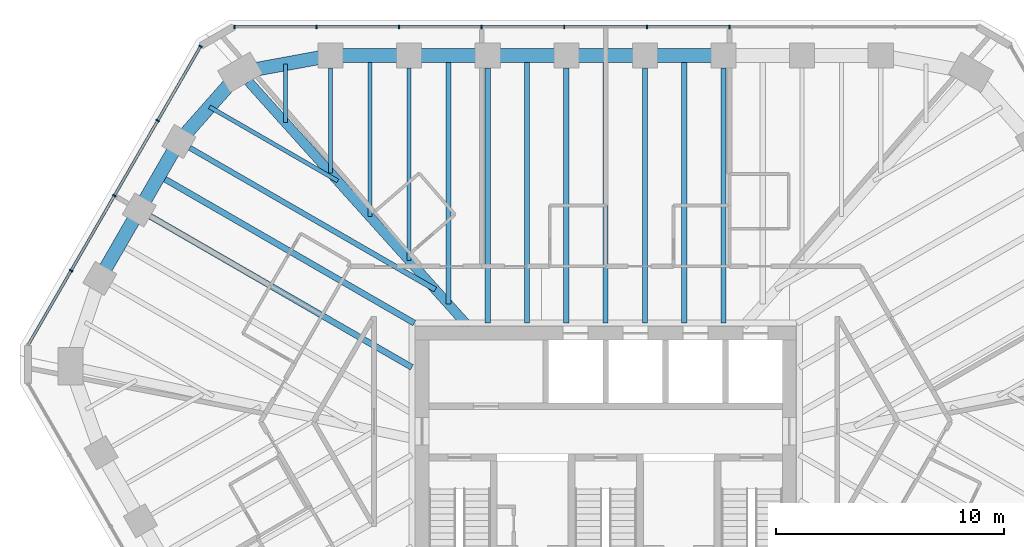
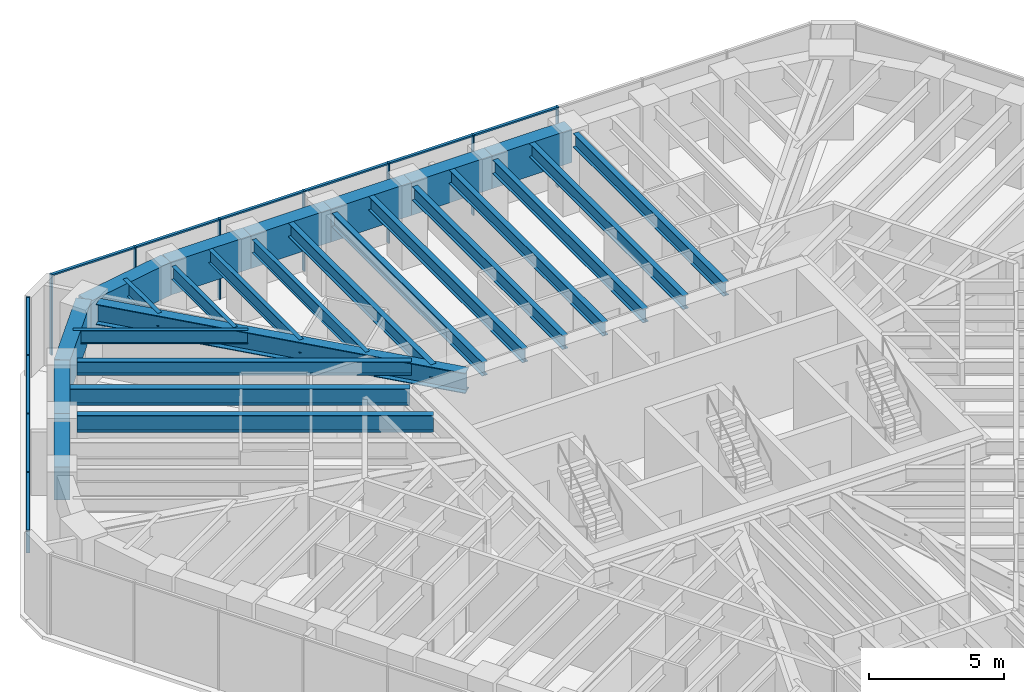
# One storey, part 6 of 14: 26 beams, 21 members, 2 elements without a shape of their own.
"""IFC4 building model written with IfcOpenShell, lengths in metres."""

from ifc_helpers import new_model, si_unit, direction, frame, origin, origin_2d, place, context, subcontext, project, spatial, rectangle, i_section, extrude, material, material_profile, profile_set, type_object, element, aggregate, save


model = new_model("IFC4")

# Units and contexts
model_context = context("Model", 3, precision=1e-05, world=origin(), true_north=direction((0.0, 1.0)))
body_context = subcontext(model_context, "Body", "Model", "MODEL_VIEW")
ifc_project = project(units=[si_unit("LENGTHUNIT", "METRE"), si_unit("AREAUNIT", "SQUARE_METRE"), si_unit("VOLUMEUNIT", "CUBIC_METRE"), si_unit("PLANEANGLEUNIT", "RADIAN"), si_unit("MASSUNIT", "GRAM", prefix="KILO")], contexts=[model_context])

# Site, building, storey
site_placement = place(None, origin())
site = spatial("IfcSite", under=ifc_project, at=site_placement, CompositionType="ELEMENT")
building_placement = place(site_placement, origin())
building = spatial("IfcBuilding", under=site, at=building_placement, Name="Sandreach Pilgrim Tower", CompositionType="ELEMENT")
storey_placement = place(building_placement, frame((0.0, 0.0, 291.199951171875)))
storey = spatial("IfcBuildingStorey", under=building, at=storey_placement, Name="L73", CompositionType="ELEMENT", Elevation=291.199951171875)

# Curtain wall, members
ifc_material_1 = material(Name="Aluminium framed curtain wall", Category="aluminium")
curtain_wall_type = type_object("IfcCurtainWallType", Name="Suite tower curtain wall", PredefinedType="NOTDEFINED", material=ifc_material_1)
curtain_wall_1_placement = place(storey_placement, origin())
curtain_wall_1 = element("IfcCurtainWall", 1, at=curtain_wall_1_placement, inside=storey, type_object=curtain_wall_type, Name="CW-4 L73 N", PredefinedType="NOTDEFINED")
ifc_material_2 = material(Name="Aluminium extrusion", Category="aluminium")
ifc_material_profile_1 = material_profile(ifc_material_2, rectangle(XDim=0.06005859375, YDim=0.159912109375, at=origin_2d()), Name="CW-4M 60X160")
ifc_profile_set_1 = profile_set([ifc_material_profile_1], Name="Aluminium extrusion")
member_type_1 = type_object("IfcMemberType", Name="CW-4 mullion", PredefinedType="MULLION", material=ifc_profile_set_1)
member_1_placement = place(storey_placement, frame((-16.268310546875, 19.826416015625, 0.0), z_axis=(0.0, 0.0, 1.0), x_axis=(1.0, 0.0, 0.0)))
member_1 = element("IfcMember", 2, at=member_1_placement, type_object=member_type_1, Name="CW-4 mullion 1", PredefinedType="MULLION", context=body_context, shape_type="SweptSolid", body=[
    extrude(rectangle(XDim=0.06005859375, YDim=0.159912109375, at=origin_2d()), origin(), (0.0, 0.0, 1.0), 3.64013671875),
])
member_2_placement = place(storey_placement, frame((-12.676513671875, 19.826416015625, 0.0), z_axis=(0.0, 0.0, 1.0), x_axis=(1.0, 0.0, 0.0)))
member_2 = element("IfcMember", 3, at=member_2_placement, type_object=member_type_1, Name="CW-4 mullion 2", PredefinedType="MULLION", context=body_context, shape_type="SweptSolid", body=[
    extrude(rectangle(XDim=0.06005859375, YDim=0.159912109375, at=origin_2d()), origin(), (0.0, 0.0, 1.0), 3.64013671875),
])
member_3_placement = place(storey_placement, frame((-9.0546875, 19.826416015625, 0.0), z_axis=(0.0, 0.0, 1.0), x_axis=(1.0, 0.0, 0.0)))
member_3 = element("IfcMember", 4, at=member_3_placement, type_object=member_type_1, Name="CW-4 mullion 3", PredefinedType="MULLION", context=body_context, shape_type="SweptSolid", body=[
    extrude(rectangle(XDim=0.06005859375, YDim=0.159912109375, at=origin_2d()), origin(), (0.0, 0.0, 1.0), 3.64013671875),
])
member_4_placement = place(storey_placement, frame((-5.432861328125, 19.826416015625, 0.0), z_axis=(0.0, 0.0, 1.0), x_axis=(1.0, 0.0, 0.0)))
member_4 = element("IfcMember", 5, at=member_4_placement, type_object=member_type_1, Name="CW-4 mullion 4", PredefinedType="MULLION", context=body_context, shape_type="SweptSolid", body=[
    extrude(rectangle(XDim=0.06005859375, YDim=0.159912109375, at=origin_2d()), origin(), (0.0, 0.0, 1.0), 3.64013671875),
])
member_5_placement = place(storey_placement, frame((-1.81103515625, 19.826416015625, 0.0), z_axis=(0.0, 0.0, 1.0), x_axis=(1.0, 0.0, 0.0)))
member_5 = element("IfcMember", 6, at=member_5_placement, type_object=member_type_1, Name="CW-4 mullion 5", PredefinedType="MULLION", context=body_context, shape_type="SweptSolid", body=[
    extrude(rectangle(XDim=0.06005859375, YDim=0.159912109375, at=origin_2d()), origin(), (0.0, 0.0, 1.0), 3.64013671875),
])
member_6_placement = place(storey_placement, frame((1.81103515625, 19.826416015625, 0.0), z_axis=(0.0, 0.0, 1.0), x_axis=(1.0, 0.0, 0.0)))
member_6 = element("IfcMember", 7, at=member_6_placement, type_object=member_type_1, Name="CW-4 mullion 6", PredefinedType="MULLION", context=body_context, shape_type="SweptSolid", body=[
    extrude(rectangle(XDim=0.06005859375, YDim=0.159912109375, at=origin_2d()), origin(), (0.0, 0.0, 1.0), 3.64013671875),
])
member_7_placement = place(storey_placement, frame((5.432861328125, 19.826416015625, 0.0), z_axis=(0.0, 0.0, 1.0), x_axis=(1.0, 0.0, 0.0)))
member_7 = element("IfcMember", 8, at=member_7_placement, type_object=member_type_1, Name="CW-4 mullion 7", PredefinedType="MULLION", context=body_context, shape_type="SweptSolid", body=[
    extrude(rectangle(XDim=0.06005859375, YDim=0.159912109375, at=origin_2d()), origin(), (0.0, 0.0, 1.0), 3.64013671875),
])

curtain_wall_2_placement = place(storey_placement, origin())
curtain_wall_2 = element("IfcCurtainWall", 9, at=curtain_wall_2_placement, inside=storey, type_object=curtain_wall_type, Name="CW-4 L73 NW", PredefinedType="NOTDEFINED")
member_8_placement = place(storey_placement, frame((-23.423583984375, 9.145263671875, 0.0), z_axis=(0.0, 0.0, 1.0), x_axis=(0.5, 0.866025403784, 0.0)))
member_8 = element("IfcMember", 10, at=member_8_placement, type_object=member_type_1, Name="CW-4 mullion 2", PredefinedType="MULLION", context=body_context, shape_type="SweptSolid", body=[
    extrude(rectangle(XDim=0.06005859375, YDim=0.159912109375, at=origin_2d()), origin(), (0.0, 0.0, 1.0), 3.64013671875),
])
member_9_placement = place(storey_placement, frame((-21.527587890625, 12.428955078125, 0.0), z_axis=(0.0, 0.0, 1.0), x_axis=(0.5, 0.866025403784, 0.0)))
member_9 = element("IfcMember", 11, at=member_9_placement, type_object=member_type_1, Name="CW-4 mullion 3", PredefinedType="MULLION", context=body_context, shape_type="SweptSolid", body=[
    extrude(rectangle(XDim=0.06005859375, YDim=0.159912109375, at=origin_2d()), origin(), (0.0, 0.0, 1.0), 3.64013671875),
])
member_10_placement = place(storey_placement, frame((-19.6318359375, 15.712646484375, 0.0), z_axis=(0.0, 0.0, 1.0), x_axis=(0.5, 0.866025403784, 0.0)))
member_10 = element("IfcMember", 12, at=member_10_placement, type_object=member_type_1, Name="CW-4 mullion 4", PredefinedType="MULLION", context=body_context, shape_type="SweptSolid", body=[
    extrude(rectangle(XDim=0.06005859375, YDim=0.159912109375, at=origin_2d()), origin(), (0.0, 0.0, 1.0), 3.64013671875),
])
member_11_placement = place(storey_placement, frame((-17.7509765625, 18.970458984375, 0.0), z_axis=(0.0, 0.0, 1.0), x_axis=(0.5, 0.866025403784, 0.0)))
member_11 = element("IfcMember", 13, at=member_11_placement, type_object=member_type_1, Name="CW-4 mullion 5", PredefinedType="MULLION", context=body_context, shape_type="SweptSolid", body=[
    extrude(rectangle(XDim=0.06005859375, YDim=0.159912109375, at=origin_2d()), origin(), (0.0, 0.0, 1.0), 3.64013671875),
])

# Member
ifc_material_3 = material(Name="Aluminium extrusion", Category="aluminium")
ifc_material_profile_2 = material_profile(ifc_material_3, rectangle(XDim=0.1201171875, YDim=0.070068359375, at=origin_2d()), Name="CW-4T 120X70")
ifc_profile_set_2 = profile_set([ifc_material_profile_2], Name="Aluminium extrusion")
member_type_2 = type_object("IfcMemberType", Name="CW-4 transom", PredefinedType="USERDEFINED", material=ifc_profile_set_2)
member_12_placement = place(storey_placement, frame((-16.23828125, 19.826416015625, 3.60498046875), z_axis=(1.0, 0.0, 0.0), x_axis=(0.0, 1.0, 0.0)))
member_12 = element("IfcMember", 14, at=member_12_placement, type_object=member_type_2, Name="CW-4 head transom 1", ObjectType="TRANSOM", PredefinedType="USERDEFINED", context=body_context, shape_type="SweptSolid", body=[
    extrude(rectangle(XDim=0.1201171875, YDim=0.070068359375, at=origin_2d()), origin(), (0.0, 0.0, 1.0), 3.53173828125),
])

member_13_placement = place(storey_placement, frame((-12.646484375, 19.826416015625, 3.60498046875), z_axis=(1.0, 0.0, 0.0), x_axis=(0.0, 1.0, 0.0)))
member_13 = element("IfcMember", 15, at=member_13_placement, type_object=member_type_2, Name="CW-4 head transom 2", ObjectType="TRANSOM", PredefinedType="USERDEFINED", context=body_context, shape_type="SweptSolid", body=[
    extrude(rectangle(XDim=0.1201171875, YDim=0.070068359375, at=origin_2d()), origin(), (0.0, 0.0, 1.0), 3.561767578125),
])

member_14_placement = place(storey_placement, frame((-9.024658203125, 19.826416015625, 3.60498046875), z_axis=(1.0, 0.0, 0.0), x_axis=(0.0, 1.0, 0.0)))
member_14 = element("IfcMember", 16, at=member_14_placement, type_object=member_type_2, Name="CW-4 head transom 3", ObjectType="TRANSOM", PredefinedType="USERDEFINED", context=body_context, shape_type="SweptSolid", body=[
    extrude(rectangle(XDim=0.1201171875, YDim=0.070068359375, at=origin_2d()), origin(), (0.0, 0.0, 1.0), 3.561767578125),
])

member_15_placement = place(storey_placement, frame((-5.40283203125, 19.826416015625, 3.60498046875), z_axis=(1.0, 0.0, 0.0), x_axis=(0.0, 1.0, 0.0)))
member_15 = element("IfcMember", 17, at=member_15_placement, type_object=member_type_2, Name="CW-4 head transom 4", ObjectType="TRANSOM", PredefinedType="USERDEFINED", context=body_context, shape_type="SweptSolid", body=[
    extrude(rectangle(XDim=0.1201171875, YDim=0.070068359375, at=origin_2d()), origin(), (0.0, 0.0, 1.0), 3.56201171875),
])

member_16_placement = place(storey_placement, frame((-1.781005859375, 19.826416015625, 3.60498046875), z_axis=(1.0, 0.0, 0.0), x_axis=(0.0, 1.0, 0.0)))
member_16 = element("IfcMember", 18, at=member_16_placement, type_object=member_type_2, Name="CW-4 head transom 5", ObjectType="TRANSOM", PredefinedType="USERDEFINED", context=body_context, shape_type="SweptSolid", body=[
    extrude(rectangle(XDim=0.1201171875, YDim=0.070068359375, at=origin_2d()), origin(), (0.0, 0.0, 1.0), 3.56201171875),
])

member_17_placement = place(storey_placement, frame((1.8408203125, 19.826416015625, 3.60498046875), z_axis=(1.0, 0.0, 0.0), x_axis=(0.0, 1.0, 0.0)))
member_17 = element("IfcMember", 19, at=member_17_placement, type_object=member_type_2, Name="CW-4 head transom 6", ObjectType="TRANSOM", PredefinedType="USERDEFINED", context=body_context, shape_type="SweptSolid", body=[
    extrude(rectangle(XDim=0.1201171875, YDim=0.070068359375, at=origin_2d()), origin(), (0.0, 0.0, 1.0), 3.56201171875),
])

aggregate(curtain_wall_1, [member_1, member_2, member_3, member_4, member_5, member_6, member_7, member_12, member_13, member_14, member_15, member_16, member_17])

member_18_placement = place(storey_placement, frame((-25.289306640625, 5.91357421875, 3.60498046875), z_axis=(0.499990780478, 0.866030726613, 0.0), x_axis=(-0.866030726613, 0.499990780478, 0.0)))
member_18 = element("IfcMember", 20, at=member_18_placement, type_object=member_type_2, Name="CW-4 head transom 1", ObjectType="TRANSOM", PredefinedType="USERDEFINED", context=body_context, shape_type="SweptSolid", body=[
    extrude(rectangle(XDim=0.1201171875, YDim=0.070068359375, at=origin_2d()), origin(), (0.0, 0.0, 1.0), 3.70166015625),
])

member_19_placement = place(storey_placement, frame((-23.408447265625, 9.17138671875, 3.60498046875), z_axis=(0.499981083104, 0.866036325184, 0.0), x_axis=(-0.866036325184, 0.499981083104, 0.0)))
member_19 = element("IfcMember", 21, at=member_19_placement, type_object=member_type_2, Name="CW-4 head transom 2", ObjectType="TRANSOM", PredefinedType="USERDEFINED", context=body_context, shape_type="SweptSolid", body=[
    extrude(rectangle(XDim=0.1201171875, YDim=0.070068359375, at=origin_2d()), origin(), (0.0, 0.0, 1.0), 3.731689453125),
])

member_20_placement = place(storey_placement, frame((-21.5126953125, 12.455078125, 3.60498046875), z_axis=(0.500030151002, 0.866007995396, 0.0), x_axis=(-0.866007995396, 0.500030151002, 0.0)))
member_20 = element("IfcMember", 22, at=member_20_placement, type_object=member_type_2, Name="CW-4 head transom 3", ObjectType="TRANSOM", PredefinedType="USERDEFINED", context=body_context, shape_type="SweptSolid", body=[
    extrude(rectangle(XDim=0.1201171875, YDim=0.070068359375, at=origin_2d()), origin(), (0.0, 0.0, 1.0), 3.731689453125),
])

member_21_placement = place(storey_placement, frame((-19.616943359375, 15.73876953125, 3.60498046875), z_axis=(0.499990780478, 0.866030726613, 0.0), x_axis=(-0.866030726613, 0.499990780478, 0.0)))
member_21 = element("IfcMember", 23, at=member_21_placement, type_object=member_type_2, Name="CW-4 head transom 4", ObjectType="TRANSOM", PredefinedType="USERDEFINED", context=body_context, shape_type="SweptSolid", body=[
    extrude(rectangle(XDim=0.1201171875, YDim=0.070068359375, at=origin_2d()), origin(), (0.0, 0.0, 1.0), 3.70166015625),
])

aggregate(curtain_wall_2, [member_8, member_9, member_10, member_11, member_18, member_19, member_20, member_21])

# Beams
ifc_material_4 = material(Name="Steel ASTM A992 Grade 50", Category="steel")
ifc_material_profile_3 = material_profile(ifc_material_4, i_section(OverallWidth=0.419189453125, OverallDepth=0.927001953125, WebThickness=0.019287109375, FlangeThickness=0.031982421875, at=origin_2d()), Name="W36X231")
ifc_profile_set_3 = profile_set([ifc_material_profile_3], Name="Steel ASTM A992 Grade 50")
beam_type_1 = type_object("IfcBeamType", Name="Corner girder W36X231", PredefinedType="BEAM", material=ifc_profile_set_3)
beam_1_placement = place(storey_placement, frame((-15.649169921875, 17.427978515625, 3.176513671875), z_axis=(0.668114851597, -0.74405815974, 0.0), x_axis=(0.74405815974, 0.668114851597, 0.0)))
element("IfcBeam", 24, at=beam_1_placement, inside=storey, type_object=beam_type_1, Name="BM L73 CG39", PredefinedType="BEAM", context=body_context, shape_type="SweptSolid", body=[
    extrude(i_section(OverallWidth=0.419189453125, OverallDepth=0.927001953125, WebThickness=0.019287109375, FlangeThickness=0.031982421875, at=origin_2d()), origin(), (0.0, 0.0, 1.0), 14.418212890625),
])
ifc_material_5 = material(Name="Steel ASTM A992 Grade 50", Category="steel")
ifc_material_profile_4 = material_profile(ifc_material_5, i_section(OverallWidth=0.1787109375, OverallDepth=0.60205078125, WebThickness=0.010986328125, FlangeThickness=0.014892578125, at=origin_2d()), Name="W24X62")
ifc_profile_set_4 = profile_set([ifc_material_profile_4], Name="Steel ASTM A992 Grade 50")
beam_type_2 = type_object("IfcBeamType", Name="Floor beam W24X62", PredefinedType="BEAM", material=ifc_profile_set_4)
beam_2_placement = place(storey_placement, frame((-12.0576171875, 18.016357421875, 3.339111328125), z_axis=(0.0, -1.0, 0.0), x_axis=(1.0, 0.0, 0.0)))
element("IfcBeam", 25, at=beam_2_placement, inside=storey, type_object=beam_type_2, Name="BM L73 F01", PredefinedType="BEAM", context=body_context, shape_type="SweptSolid", body=[
    extrude(i_section(OverallWidth=0.1787109375, OverallDepth=0.60205078125, WebThickness=0.010986328125, FlangeThickness=0.014892578125, at=origin_2d()), origin(), (0.0, 0.0, 1.0), 4.58837890625),
])
beam_3_placement = place(storey_placement, frame((-8.612548828125, 18.016357421875, 3.339111328125), z_axis=(0.0, -1.0, 0.0), x_axis=(1.0, 0.0, 0.0)))
element("IfcBeam", 26, at=beam_3_placement, inside=storey, type_object=beam_type_2, Name="BM L73 F02", PredefinedType="BEAM", context=body_context, shape_type="SweptSolid", body=[
    extrude(i_section(OverallWidth=0.1787109375, OverallDepth=0.60205078125, WebThickness=0.010986328125, FlangeThickness=0.014892578125, at=origin_2d()), origin(), (0.0, 0.0, 1.0), 8.4248046875),
])
beam_4_placement = place(storey_placement, frame((-10.3349609375, 18.56640625, 3.339111328125), z_axis=(0.0, -1.0, 0.0), x_axis=(1.0, 0.0, 0.0)))
element("IfcBeam", 27, at=beam_4_placement, inside=storey, type_object=beam_type_2, Name="BM L73 FM01", PredefinedType="BEAM", context=body_context, shape_type="SweptSolid", body=[
    extrude(i_section(OverallWidth=0.1787109375, OverallDepth=0.60205078125, WebThickness=0.010986328125, FlangeThickness=0.014892578125, at=origin_2d()), origin(), (0.0, 0.0, 1.0), 7.056640625),
])
beam_5_placement = place(storey_placement, frame((-17.360107421875, 16.31884765625, 3.339111328125), z_axis=(0.866023980233, -0.500002465655, 0.0), x_axis=(0.500002465655, 0.866023980233, 0.0)))
element("IfcBeam", 28, at=beam_5_placement, inside=storey, type_object=beam_type_2, Name="BM L73 FM38", PredefinedType="BEAM", context=body_context, shape_type="SweptSolid", body=[
    extrude(i_section(OverallWidth=0.1787109375, OverallDepth=0.60205078125, WebThickness=0.010986328125, FlangeThickness=0.014892578125, at=origin_2d()), origin(), (0.0, 0.0, 1.0), 6.49072265625),
])
beam_6_placement = place(storey_placement, frame((-14.037109375, 18.201904296875, 3.339111328125), z_axis=(0.0, -1.0, 0.0), x_axis=(1.0, 0.0, 0.0)))
element("IfcBeam", 29, at=beam_6_placement, inside=storey, type_object=beam_type_2, Name="BM L73 FM39", PredefinedType="BEAM", context=body_context, shape_type="SweptSolid", body=[
    extrude(i_section(OverallWidth=0.1787109375, OverallDepth=0.60205078125, WebThickness=0.010986328125, FlangeThickness=0.014892578125, at=origin_2d()), origin(), (0.0, 0.0, 1.0), 2.5693359375),
])
ifc_material_6 = material(Name="Steel ASTM A992 Grade 50", Category="steel")
ifc_material_profile_5 = material_profile(ifc_material_6, i_section(OverallWidth=0.23046875, OverallDepth=0.6171875, WebThickness=0.01318359375, FlangeThickness=0.022216796875, at=origin_2d()), Name="W24X94")
ifc_profile_set_5 = profile_set([ifc_material_profile_5], Name="Steel ASTM A992 Grade 50")
beam_type_3 = type_object("IfcBeamType", Name="Floor beam W24X94", PredefinedType="BEAM", material=ifc_profile_set_5)
for number, where, z_axis, x_axis, name in (
    (30, (-5.16748046875, 18.016357421875, 3.33154296875), (0.0, -1.0, 0.0), (1.0, 0.0, 0.0), "BM L73 F03"),
    (31, (-1.722412109375, 18.016357421875, 3.33154296875), (0.0, -1.0, 0.0), (1.0, 0.0, 0.0), "BM L73 F04"),
    (32, (1.722412109375, 18.016357421875, 3.33154296875), (0.0, -1.0, 0.0), (1.0, 0.0, 0.0), "BM L73 F05"),
    (33, (5.16748046875, 18.016357421875, 3.33154296875), (0.0, -1.0, 0.0), (1.0, 0.0, 0.0), "BM L73 F06"),
):
    element("IfcBeam", number, at=place(storey_placement, frame(where, z_axis=z_axis, x_axis=x_axis)), inside=storey, type_object=beam_type_3, Name=name, PredefinedType="BEAM", context=body_context, shape_type="SweptSolid", body=[
        extrude(i_section(OverallWidth=0.23046875, OverallDepth=0.6171875, WebThickness=0.01318359375, FlangeThickness=0.022216796875, at=origin_2d()), origin(), (0.0, 0.0, 1.0), 11.173095703125),
    ])
beam_7_placement = place(storey_placement, frame((-18.227294921875, 14.525390625, 3.33154296875), z_axis=(0.866020427415, -0.500008619226, 0.0), x_axis=(0.500008619226, 0.866020427415, 0.0)))
element("IfcBeam", 34, at=beam_7_placement, inside=storey, type_object=beam_type_3, Name="BM L73 F38", PredefinedType="BEAM", context=body_context, shape_type="SweptSolid", body=[
    extrude(i_section(OverallWidth=0.23046875, OverallDepth=0.6171875, WebThickness=0.01318359375, FlangeThickness=0.022216796875, at=origin_2d()), origin(), (0.0, 0.0, 1.0), 12.431396484375),
])
beam_8_placement = place(storey_placement, frame((-6.89013671875, 18.56640625, 3.33154296875), z_axis=(0.0, -1.0, 0.0), x_axis=(1.0, 0.0, 0.0)))
element("IfcBeam", 35, at=beam_8_placement, inside=storey, type_object=beam_type_3, Name="BM L73 FM02", PredefinedType="BEAM", context=body_context, shape_type="SweptSolid", body=[
    extrude(i_section(OverallWidth=0.23046875, OverallDepth=0.6171875, WebThickness=0.01318359375, FlangeThickness=0.022216796875, at=origin_2d()), origin(), (0.0, 0.0, 1.0), 10.893310546875),
])
for number, where, z_axis, x_axis, name in (
    (36, (-3.445068359375, 18.56640625, 3.33154296875), (0.0, -1.0, 0.0), (1.0, 0.0, 0.0), "BM L73 FM03"),
    (37, (0.0, 18.56640625, 3.33154296875), (0.0, -1.0, 0.0), (1.0, 0.0, 0.0), "BM L73 FM04"),
    (38, (3.445068359375, 18.56640625, 3.33154296875), (0.0, -1.0, 0.0), (1.0, 0.0, 0.0), "BM L73 FM05"),
):
    element("IfcBeam", number, at=place(storey_placement, frame(where, z_axis=z_axis, x_axis=x_axis)), inside=storey, type_object=beam_type_3, Name=name, PredefinedType="BEAM", context=body_context, shape_type="SweptSolid", body=[
        extrude(i_section(OverallWidth=0.23046875, OverallDepth=0.6171875, WebThickness=0.01318359375, FlangeThickness=0.022216796875, at=origin_2d()), origin(), (0.0, 0.0, 1.0), 11.72314453125),
    ])
ifc_material_7 = material(Name="Steel ASTM A992 Grade 50", Category="steel")
ifc_material_profile_6 = material_profile(ifc_material_7, i_section(OverallWidth=0.2666015625, OverallDepth=0.761962890625, WebThickness=0.014404296875, FlangeThickness=0.021484375, at=origin_2d()), Name="W30X116")
ifc_profile_set_6 = profile_set([ifc_material_profile_6], Name="Steel ASTM A992 Grade 50")
beam_type_4 = type_object("IfcBeamType", Name="Floor beam W30X116", PredefinedType="BEAM", material=ifc_profile_set_6)
beam_9_placement = place(storey_placement, frame((-19.960205078125, 11.52392578125, 3.259033203125), z_axis=(0.86602530353, -0.500000173646, 0.0), x_axis=(0.500000173646, 0.86602530353, 0.0)))
element("IfcBeam", 39, at=beam_9_placement, inside=storey, type_object=beam_type_4, Name="BM L73 F37", PredefinedType="BEAM", context=body_context, shape_type="SweptSolid", body=[
    extrude(i_section(OverallWidth=0.2666015625, OverallDepth=0.761962890625, WebThickness=0.014404296875, FlangeThickness=0.021484375, at=origin_2d()), origin(), (0.0, 0.0, 1.0), 13.24072265625),
])
beam_10_placement = place(storey_placement, frame((-19.570068359375, 13.299560546875, 3.259033203125), z_axis=(0.866025008595, -0.500000684488, 0.0), x_axis=(0.500000684488, 0.866025008595, 0.0)))
element("IfcBeam", 40, at=beam_10_placement, inside=storey, type_object=beam_type_4, Name="BM L73 FM37", PredefinedType="BEAM", context=body_context, shape_type="SweptSolid", body=[
    extrude(i_section(OverallWidth=0.2666015625, OverallDepth=0.761962890625, WebThickness=0.014404296875, FlangeThickness=0.021484375, at=origin_2d()), origin(), (0.0, 0.0, 1.0), 12.91259765625),
])
ifc_material_8 = material(Name="Concrete 10000 psi", Category="concrete")
ifc_material_profile_7 = material_profile(ifc_material_8, rectangle(XDim=0.60009765625, YDim=1.5, at=origin_2d()), Name="RC600X1500")
ifc_profile_set_7 = profile_set([ifc_material_profile_7], Name="Concrete 10000 psi")
beam_type_5 = type_object("IfcBeamType", Name="Spandrel beam RC600X1500", PredefinedType="SPANDREL", material=ifc_profile_set_7)
for number, where, z_axis, x_axis, name in (
    (41, (-12.0576171875, 18.56640625, 2.89013671875), (1.0, 0.0, 0.0), (0.0, 1.0, 0.0), "BM L73 SP01"),
    (42, (-8.612548828125, 18.56640625, 2.89013671875), (1.0, 0.0, 0.0), (0.0, 1.0, 0.0), "BM L73 SP02"),
    (43, (-5.16748046875, 18.56640625, 2.89013671875), (1.0, 0.0, 0.0), (0.0, 1.0, 0.0), "BM L73 SP03"),
):
    element("IfcBeam", number, at=place(storey_placement, frame(where, z_axis=z_axis, x_axis=x_axis)), inside=storey, type_object=beam_type_5, Name=name, PredefinedType="SPANDREL", context=body_context, shape_type="SweptSolid", body=[
        extrude(rectangle(XDim=0.60009765625, YDim=1.5, at=origin_2d()), origin(), (0.0, 0.0, 1.0), 3.445068359375),
    ])
beam_11_placement = place(storey_placement, frame((-1.722412109375, 18.56640625, 2.89013671875), z_axis=(1.0, 0.0, 0.0), x_axis=(0.0, 1.0, 0.0)))
element("IfcBeam", 44, at=beam_11_placement, inside=storey, type_object=beam_type_5, Name="BM L73 SP04", PredefinedType="SPANDREL", context=body_context, shape_type="SweptSolid", body=[
    extrude(rectangle(XDim=0.60009765625, YDim=1.5, at=origin_2d()), origin(), (0.0, 0.0, 1.0), 3.44482421875),
])
beam_12_placement = place(storey_placement, frame((1.722412109375, 18.56640625, 2.89013671875), z_axis=(1.0, 0.0, 0.0), x_axis=(0.0, 1.0, 0.0)))
element("IfcBeam", 45, at=beam_12_placement, inside=storey, type_object=beam_type_5, Name="BM L73 SP05", PredefinedType="SPANDREL", context=body_context, shape_type="SweptSolid", body=[
    extrude(rectangle(XDim=0.60009765625, YDim=1.5, at=origin_2d()), origin(), (0.0, 0.0, 1.0), 3.445068359375),
])
for number, where, z_axis, x_axis, name in (
    (46, (-22.169189453125, 8.7978515625, 2.89013671875), (0.499980616072, 0.866036594811, 0.0), (-0.866036594811, 0.499980616072, 0.0), "BM L73 SP36"),
    (47, (-20.4365234375, 11.799072265625, 2.89013671875), (0.500033451825, 0.866006089503, 0.0), (-0.866006089503, 0.500033451825, 0.0), "BM L73 SP37"),
):
    element("IfcBeam", number, at=place(storey_placement, frame(where, z_axis=z_axis, x_axis=x_axis)), inside=storey, type_object=beam_type_5, Name=name, PredefinedType="SPANDREL", context=body_context, shape_type="SweptSolid", body=[
        extrude(rectangle(XDim=0.60009765625, YDim=1.5, at=origin_2d()), origin(), (0.0, 0.0, 1.0), 3.465576171875),
    ])
beam_13_placement = place(storey_placement, frame((-18.70361328125, 14.80029296875, 2.89013671875), z_axis=(0.662650525414, 0.748928755736, 0.0), x_axis=(-0.748928755736, 0.662650525414, 0.0)))
element("IfcBeam", 48, at=beam_13_placement, inside=storey, type_object=beam_type_5, Name="BM L73 SP38", PredefinedType="SPANDREL", context=body_context, shape_type="SweptSolid", body=[
    extrude(rectangle(XDim=0.60009765625, YDim=1.5, at=origin_2d()), origin(), (0.0, 0.0, 1.0), 4.054931640625),
])
beam_14_placement = place(storey_placement, frame((-16.0166015625, 17.837158203125, 2.89013671875), z_axis=(0.983454894629, 0.181153167875, 0.0), x_axis=(-0.181153167875, 0.983454894629, 0.0)))
element("IfcBeam", 49, at=beam_14_placement, inside=storey, type_object=beam_type_5, Name="BM L73 SP39", PredefinedType="SPANDREL", context=body_context, shape_type="SweptSolid", body=[
    extrude(rectangle(XDim=0.60009765625, YDim=1.5, at=origin_2d()), origin(), (0.0, 0.0, 1.0), 4.025634765625),
])

save(model, "model.ifc")
